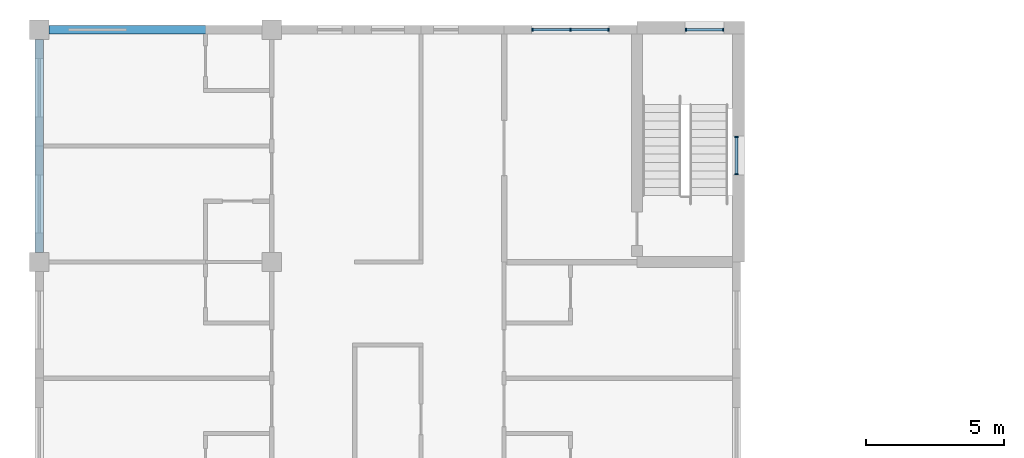
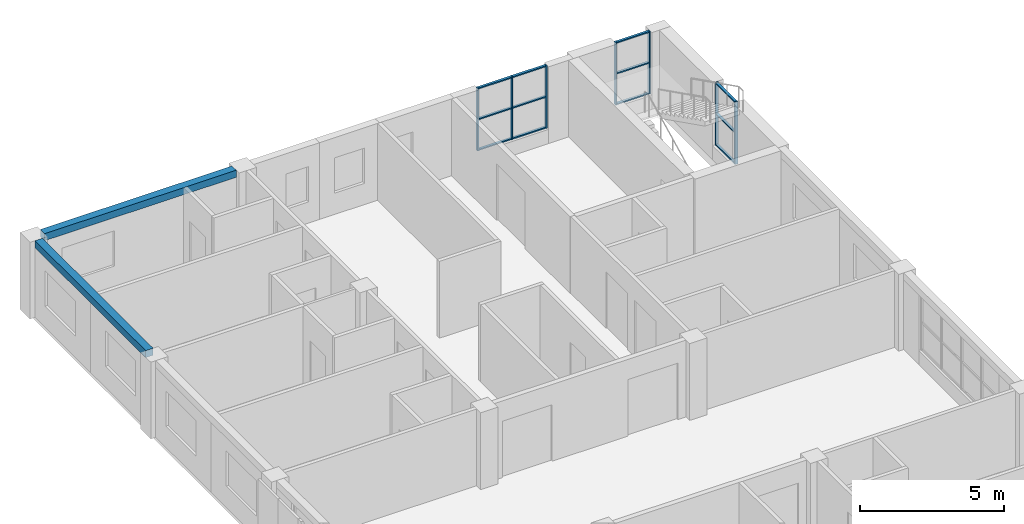
# One storey, part 15 of 46: 19 members, 2 beams, 3 elements without a shape of their own.
"""IFC4 building model written with IfcOpenShell, lengths in metres."""

from ifc_helpers import new_model, si_unit, direction, frame, origin, origin_2d, place, context, subcontext, project, spatial, rectangle, extrude, material, material_profile, profile_set, type_object, element, aggregate, save


model = new_model("IFC4")

# Units and contexts
model_context = context("Model", 3, precision=1e-05, world=origin(), true_north=direction((0.0, 1.0)))
body_context = subcontext(model_context, "Body", "Model", "MODEL_VIEW")
ifc_project = project(units=[si_unit("LENGTHUNIT", "METRE"), si_unit("AREAUNIT", "SQUARE_METRE"), si_unit("VOLUMEUNIT", "CUBIC_METRE"), si_unit("PLANEANGLEUNIT", "RADIAN"), si_unit("MASSUNIT", "GRAM", prefix="KILO")], contexts=[model_context])

# Site, building, storey
site_placement = place(None, origin())
site = spatial("IfcSite", under=ifc_project, at=site_placement, CompositionType="ELEMENT")
building_placement = place(site_placement, origin())
building = spatial("IfcBuilding", under=site, at=building_placement, Name="Yavir Park General Hospital", CompositionType="ELEMENT")
storey_placement = place(building_placement, frame((0.0, 0.0, 18.89990234375)))
storey = spatial("IfcBuildingStorey", under=building, at=storey_placement, Name="L04", CompositionType="ELEMENT", Elevation=18.89990234375)

# Beams
ifc_material_1 = material(Name="Concrete C35/45", Category="concrete")
ifc_material_profile_1 = material_profile(ifc_material_1, rectangle(XDim=0.300048828125, YDim=0.300048828125, at=origin_2d()), Name="RC300x300")
ifc_profile_set_1 = profile_set([ifc_material_profile_1], Name="Concrete C35/45")
beam_type = type_object("IfcBeamType", Name="RC BEAM 300x300 edge beam", PredefinedType="BEAM", material=ifc_profile_set_1)
for number, where, z_axis, x_axis, name in (
    (1, (0.35009765625, 117.60009765625, 3.110107421875), (1.0, 0.0, 0.0), (0.0, 1.0, 0.0), "B:EDGE:L04:015"),
    (2, (0.0, 109.550048828125, 3.110107421875), (0.0, 1.0, 0.0), (-1.0, 0.0, 0.0), "B:EDGE:L04:027"),
):
    element("IfcBeam", number, at=place(storey_placement, frame(where, z_axis=z_axis, x_axis=x_axis)), inside=storey, type_object=beam_type, Name=name, PredefinedType="BEAM", context=body_context, shape_type="SweptSolid", body=[
        extrude(rectangle(XDim=0.300048828125, YDim=0.300048828125, at=origin_2d()), origin(), (0.0, 0.0, 1.0), 7.699951171875),
    ])

# Curtain wall, members
ifc_material_2 = material(Name="Aluminium curtain wall frame with insulated glazing", Category="aluminium")
curtain_wall_type_1 = type_object("IfcCurtainWallType", Name="Stair light slot, ward floors, 2660 high, 1400 module", PredefinedType="NOTDEFINED", material=ifc_material_2)
curtain_wall_1_placement = place(storey_placement, origin())
curtain_wall_1 = element("IfcCurtainWall", 3, at=curtain_wall_1_placement, inside=storey, type_object=curtain_wall_type_1, Name="CW10 L04-015", PredefinedType="NOTDEFINED")
ifc_material_3 = material(Name="Aluminium", Category="aluminium")
ifc_material_profile_2 = material_profile(ifc_material_3, rectangle(XDim=0.1201171875, YDim=0.050048828125, at=origin_2d()), Name="AL 50x120")
ifc_profile_set_2 = profile_set([ifc_material_profile_2], Name="Aluminium")
member_type_1 = type_object("IfcMemberType", Name="Stair light slot, ward floors, 2660 high mullion 50 x 120", PredefinedType="MULLION", material=ifc_profile_set_2)
member_1_placement = place(storey_placement, frame((23.375, 117.60009765625, 0.60009765625), z_axis=(0.0, 0.0, 1.0), x_axis=(0.0, 1.0, 0.0)))
member_1 = element("IfcMember", 4, at=member_1_placement, type_object=member_type_1, Name="CW10 mullion 1", PredefinedType="MULLION", context=body_context, shape_type="SweptSolid", body=[
    extrude(rectangle(XDim=0.1201171875, YDim=0.050048828125, at=origin_2d()), origin(), (0.0, 0.0, 1.0), 2.659912109375),
])
member_2_placement = place(storey_placement, frame((24.72509765625, 117.60009765625, 0.60009765625), z_axis=(0.0, 0.0, 1.0), x_axis=(0.0, 1.0, 0.0)))
member_2 = element("IfcMember", 5, at=member_2_placement, type_object=member_type_1, Name="CW10 mullion 2", PredefinedType="MULLION", context=body_context, shape_type="SweptSolid", body=[
    extrude(rectangle(XDim=0.1201171875, YDim=0.050048828125, at=origin_2d()), origin(), (0.0, 0.0, 1.0), 2.659912109375),
])

curtain_wall_2_placement = place(storey_placement, origin())
curtain_wall_2 = element("IfcCurtainWall", 6, at=curtain_wall_2_placement, inside=storey, type_object=curtain_wall_type_1, Name="CW10 L04-026", PredefinedType="NOTDEFINED")
member_3_placement = place(storey_placement, frame((25.199951171875, 112.375, 0.60009765625), z_axis=(0.0, 0.0, 1.0), x_axis=(-1.0, 0.0, 0.0)))
member_3 = element("IfcMember", 7, at=member_3_placement, type_object=member_type_1, Name="CW10 mullion 1", PredefinedType="MULLION", context=body_context, shape_type="SweptSolid", body=[
    extrude(rectangle(XDim=0.1201171875, YDim=0.050048828125, at=origin_2d()), origin(), (0.0, 0.0, 1.0), 2.659912109375),
])
member_4_placement = place(storey_placement, frame((25.199951171875, 113.72509765625, 0.60009765625), z_axis=(0.0, 0.0, 1.0), x_axis=(-1.0, 0.0, 0.0)))
member_4 = element("IfcMember", 8, at=member_4_placement, type_object=member_type_1, Name="CW10 mullion 2", PredefinedType="MULLION", context=body_context, shape_type="SweptSolid", body=[
    extrude(rectangle(XDim=0.1201171875, YDim=0.050048828125, at=origin_2d()), origin(), (0.0, 0.0, 1.0), 2.659912109375),
])

# Member
ifc_material_4 = material(Name="Aluminium", Category="aluminium")
ifc_material_profile_3 = material_profile(ifc_material_4, rectangle(XDim=0.10009765625, YDim=0.050048828125, at=origin_2d()), Name="AL 100x50")
ifc_profile_set_3 = profile_set([ifc_material_profile_3], Name="Aluminium")
member_type_2 = type_object("IfcMemberType", Name="Stair light slot, ward floors, 2660 high transom 50 x 100", PredefinedType="MULLION", material=ifc_profile_set_3)
member_5_placement = place(storey_placement, frame((23.39990234375, 117.60009765625, 0.625), z_axis=(1.0, 0.0, 0.0), x_axis=(0.0, 1.0, 0.0)))
member_5 = element("IfcMember", 9, at=member_5_placement, type_object=member_type_2, Name="CW10 transom 1.1", PredefinedType="MULLION", context=body_context, shape_type="SweptSolid", body=[
    extrude(rectangle(XDim=0.10009765625, YDim=0.050048828125, at=origin_2d()), origin(), (0.0, 0.0, 1.0), 1.300048828125),
])

member_6_placement = place(storey_placement, frame((23.39990234375, 117.60009765625, 1.93017578125), z_axis=(1.0, 0.0, 0.0), x_axis=(0.0, 1.0, 0.0)))
member_6 = element("IfcMember", 10, at=member_6_placement, type_object=member_type_2, Name="CW10 transom 1.2", PredefinedType="MULLION", context=body_context, shape_type="SweptSolid", body=[
    extrude(rectangle(XDim=0.10009765625, YDim=0.050048828125, at=origin_2d()), origin(), (0.0, 0.0, 1.0), 1.300048828125),
])

member_7_placement = place(storey_placement, frame((23.39990234375, 117.60009765625, 3.235107421875), z_axis=(1.0, 0.0, 0.0), x_axis=(0.0, 1.0, 0.0)))
member_7 = element("IfcMember", 11, at=member_7_placement, type_object=member_type_2, Name="CW10 transom 1.3", PredefinedType="MULLION", context=body_context, shape_type="SweptSolid", body=[
    extrude(rectangle(XDim=0.10009765625, YDim=0.050048828125, at=origin_2d()), origin(), (0.0, 0.0, 1.0), 1.300048828125),
])

aggregate(curtain_wall_1, [member_1, member_2, member_5, member_6, member_7])

member_8_placement = place(storey_placement, frame((25.199951171875, 112.39990234375, 0.625), z_axis=(0.0, 1.0, 0.0), x_axis=(-1.0, 0.0, 0.0)))
member_8 = element("IfcMember", 12, at=member_8_placement, type_object=member_type_2, Name="CW10 transom 1.1", PredefinedType="MULLION", context=body_context, shape_type="SweptSolid", body=[
    extrude(rectangle(XDim=0.10009765625, YDim=0.050048828125, at=origin_2d()), origin(), (0.0, 0.0, 1.0), 1.300048828125),
])

member_9_placement = place(storey_placement, frame((25.199951171875, 112.39990234375, 1.93017578125), z_axis=(0.0, 1.0, 0.0), x_axis=(-1.0, 0.0, 0.0)))
member_9 = element("IfcMember", 13, at=member_9_placement, type_object=member_type_2, Name="CW10 transom 1.2", PredefinedType="MULLION", context=body_context, shape_type="SweptSolid", body=[
    extrude(rectangle(XDim=0.10009765625, YDim=0.050048828125, at=origin_2d()), origin(), (0.0, 0.0, 1.0), 1.300048828125),
])

member_10_placement = place(storey_placement, frame((25.199951171875, 112.39990234375, 3.235107421875), z_axis=(0.0, 1.0, 0.0), x_axis=(-1.0, 0.0, 0.0)))
member_10 = element("IfcMember", 14, at=member_10_placement, type_object=member_type_2, Name="CW10 transom 1.3", PredefinedType="MULLION", context=body_context, shape_type="SweptSolid", body=[
    extrude(rectangle(XDim=0.10009765625, YDim=0.050048828125, at=origin_2d()), origin(), (0.0, 0.0, 1.0), 1.300048828125),
])

aggregate(curtain_wall_2, [member_3, member_4, member_8, member_9, member_10])

# Curtain wall, members
ifc_material_5 = material(Name="Aluminium curtain wall frame with insulated glazing", Category="aluminium")
curtain_wall_type_2 = type_object("IfcCurtainWallType", Name="Ward corridor end glazing, 2660 high, 1400 module", PredefinedType="NOTDEFINED", material=ifc_material_5)
curtain_wall_3_placement = place(storey_placement, origin())
curtain_wall_3 = element("IfcCurtainWall", 15, at=curtain_wall_3_placement, inside=storey, type_object=curtain_wall_type_2, Name="CW15 L04-014", PredefinedType="NOTDEFINED")
ifc_material_6 = material(Name="Aluminium", Category="aluminium")
ifc_material_profile_4 = material_profile(ifc_material_6, rectangle(XDim=0.1201171875, YDim=0.050048828125, at=origin_2d()), Name="AL 50x120")
ifc_profile_set_4 = profile_set([ifc_material_profile_4], Name="Aluminium")
member_type_3 = type_object("IfcMemberType", Name="Ward corridor end glazing, 2660 high mullion 50 x 120", PredefinedType="MULLION", material=ifc_profile_set_4)
member_11_placement = place(storey_placement, frame((17.824951171875, 117.60009765625, 0.60009765625), z_axis=(0.0, 0.0, 1.0), x_axis=(0.0, 1.0, 0.0)))
member_11 = element("IfcMember", 16, at=member_11_placement, type_object=member_type_3, Name="CW15 mullion 1", PredefinedType="MULLION", context=body_context, shape_type="SweptSolid", body=[
    extrude(rectangle(XDim=0.1201171875, YDim=0.050048828125, at=origin_2d()), origin(), (0.0, 0.0, 1.0), 2.659912109375),
])
member_12_placement = place(storey_placement, frame((19.199951171875, 117.60009765625, 0.60009765625), z_axis=(0.0, 0.0, 1.0), x_axis=(0.0, 1.0, 0.0)))
member_12 = element("IfcMember", 17, at=member_12_placement, type_object=member_type_3, Name="CW15 mullion 2", PredefinedType="MULLION", context=body_context, shape_type="SweptSolid", body=[
    extrude(rectangle(XDim=0.1201171875, YDim=0.050048828125, at=origin_2d()), origin(), (0.0, 0.0, 1.0), 2.659912109375),
])
member_13_placement = place(storey_placement, frame((20.574951171875, 117.60009765625, 0.60009765625), z_axis=(0.0, 0.0, 1.0), x_axis=(0.0, 1.0, 0.0)))
member_13 = element("IfcMember", 18, at=member_13_placement, type_object=member_type_3, Name="CW15 mullion 3", PredefinedType="MULLION", context=body_context, shape_type="SweptSolid", body=[
    extrude(rectangle(XDim=0.1201171875, YDim=0.050048828125, at=origin_2d()), origin(), (0.0, 0.0, 1.0), 2.659912109375),
])
ifc_material_7 = material(Name="Aluminium", Category="aluminium")
ifc_material_profile_5 = material_profile(ifc_material_7, rectangle(XDim=0.10009765625, YDim=0.050048828125, at=origin_2d()), Name="AL 100x50")
ifc_profile_set_5 = profile_set([ifc_material_profile_5], Name="Aluminium")
member_type_4 = type_object("IfcMemberType", Name="Ward corridor end glazing, 2660 high transom 50 x 100", PredefinedType="MULLION", material=ifc_profile_set_5)
member_14_placement = place(storey_placement, frame((17.85009765625, 117.60009765625, 0.625), z_axis=(1.0, 0.0, 0.0), x_axis=(0.0, 1.0, 0.0)))
member_14 = element("IfcMember", 19, at=member_14_placement, type_object=member_type_4, Name="CW15 transom 1.1", PredefinedType="MULLION", context=body_context, shape_type="SweptSolid", body=[
    extrude(rectangle(XDim=0.10009765625, YDim=0.050048828125, at=origin_2d()), origin(), (0.0, 0.0, 1.0), 1.324951171875),
])
member_15_placement = place(storey_placement, frame((17.85009765625, 117.60009765625, 1.93017578125), z_axis=(1.0, 0.0, 0.0), x_axis=(0.0, 1.0, 0.0)))
member_15 = element("IfcMember", 20, at=member_15_placement, type_object=member_type_4, Name="CW15 transom 1.2", PredefinedType="MULLION", context=body_context, shape_type="SweptSolid", body=[
    extrude(rectangle(XDim=0.10009765625, YDim=0.050048828125, at=origin_2d()), origin(), (0.0, 0.0, 1.0), 1.324951171875),
])
member_16_placement = place(storey_placement, frame((17.85009765625, 117.60009765625, 3.235107421875), z_axis=(1.0, 0.0, 0.0), x_axis=(0.0, 1.0, 0.0)))
member_16 = element("IfcMember", 21, at=member_16_placement, type_object=member_type_4, Name="CW15 transom 1.3", PredefinedType="MULLION", context=body_context, shape_type="SweptSolid", body=[
    extrude(rectangle(XDim=0.10009765625, YDim=0.050048828125, at=origin_2d()), origin(), (0.0, 0.0, 1.0), 1.324951171875),
])
member_17_placement = place(storey_placement, frame((19.22509765625, 117.60009765625, 0.625), z_axis=(1.0, 0.0, 0.0), x_axis=(0.0, 1.0, 0.0)))
member_17 = element("IfcMember", 22, at=member_17_placement, type_object=member_type_4, Name="CW15 transom 2.1", PredefinedType="MULLION", context=body_context, shape_type="SweptSolid", body=[
    extrude(rectangle(XDim=0.10009765625, YDim=0.050048828125, at=origin_2d()), origin(), (0.0, 0.0, 1.0), 1.324951171875),
])
member_18_placement = place(storey_placement, frame((19.22509765625, 117.60009765625, 1.93017578125), z_axis=(1.0, 0.0, 0.0), x_axis=(0.0, 1.0, 0.0)))
member_18 = element("IfcMember", 23, at=member_18_placement, type_object=member_type_4, Name="CW15 transom 2.2", PredefinedType="MULLION", context=body_context, shape_type="SweptSolid", body=[
    extrude(rectangle(XDim=0.10009765625, YDim=0.050048828125, at=origin_2d()), origin(), (0.0, 0.0, 1.0), 1.324951171875),
])
member_19_placement = place(storey_placement, frame((19.22509765625, 117.60009765625, 3.235107421875), z_axis=(1.0, 0.0, 0.0), x_axis=(0.0, 1.0, 0.0)))
member_19 = element("IfcMember", 24, at=member_19_placement, type_object=member_type_4, Name="CW15 transom 2.3", PredefinedType="MULLION", context=body_context, shape_type="SweptSolid", body=[
    extrude(rectangle(XDim=0.10009765625, YDim=0.050048828125, at=origin_2d()), origin(), (0.0, 0.0, 1.0), 1.324951171875),
])
aggregate(curtain_wall_3, [member_11, member_12, member_13, member_14, member_15, member_16, member_17, member_18, member_19])

save(model, "model.ifc")
